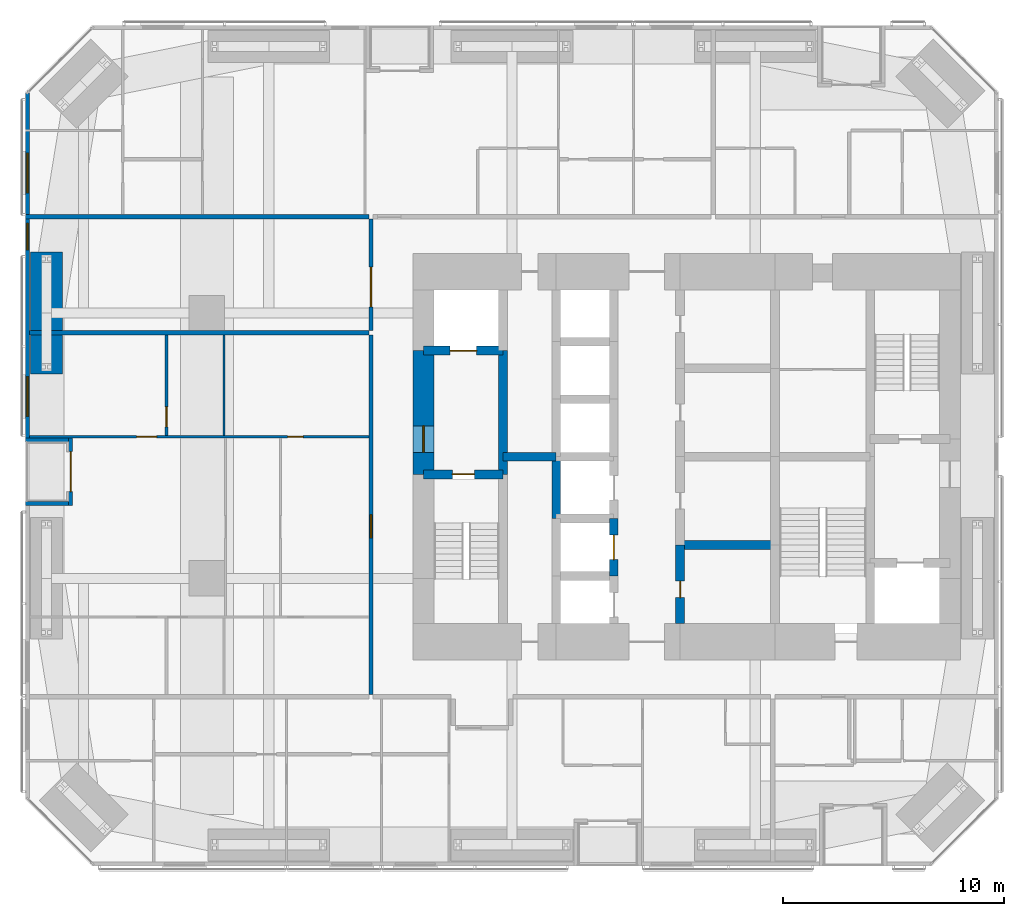
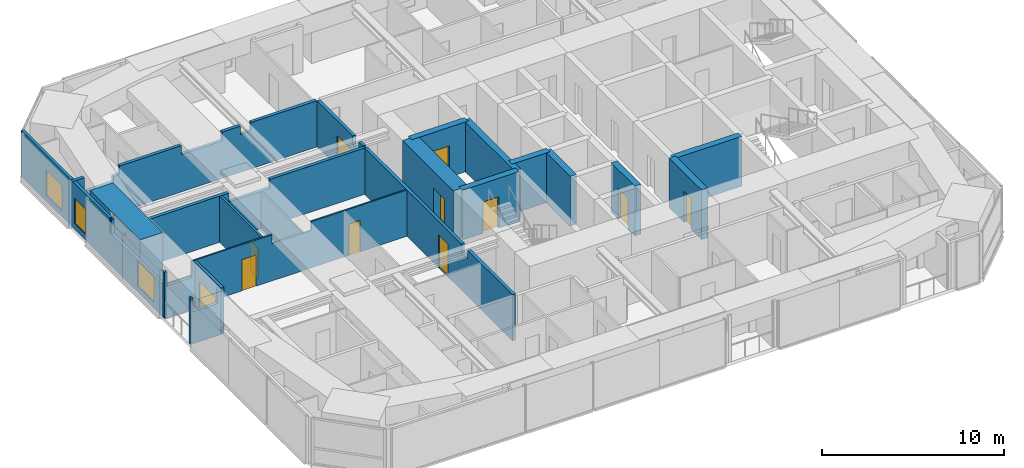
# One storey, part 19 of 24: 21 walls, 11 doors, 3 windows, 14 openings.
"""IFC4 building model written with IfcOpenShell, lengths in metres."""

from ifc_helpers import new_model, si_unit, direction, frame, frame_2d, origin, place, context, subcontext, project, spatial, polyline, rectangle, outline, extrude, material, layer, layer_set, constituent, constituent_set, type_object, element, fill, save


model = new_model("IFC4")

# Units and contexts
model_context = context("Model", 3, precision=1e-05, world=origin(), true_north=direction((0.0, 1.0)))
body_context = subcontext(model_context, "Body", "Model", "MODEL_VIEW")
ifc_project = project(units=[si_unit("LENGTHUNIT", "METRE"), si_unit("AREAUNIT", "SQUARE_METRE"), si_unit("VOLUMEUNIT", "CUBIC_METRE"), si_unit("PLANEANGLEUNIT", "RADIAN"), si_unit("MASSUNIT", "GRAM", prefix="KILO")], contexts=[model_context])

# Site, building, storey
site_placement = place(None, origin())
site = spatial("IfcSite", under=ifc_project, at=site_placement, CompositionType="ELEMENT")
building_placement = place(site_placement, origin())
building = spatial("IfcBuilding", under=site, at=building_placement, Name="Jalousie Tower", CompositionType="ELEMENT")
storey_placement = place(building_placement, frame((0.0, 0.0, 54.5)))
storey = spatial("IfcBuildingStorey", under=building, at=storey_placement, Name="L14", CompositionType="ELEMENT", Elevation=54.5)

# Wall, opening, door
ifc_material_1 = material(Name="Concrete block ASTM C90", Category="concrete")
ifc_constituent_1 = constituent(ifc_material_1, Name="Body")
ifc_material_2 = material(Name="Render")
ifc_constituent_2 = constituent(ifc_material_2, Name="Finish")
ifc_constituent_set_1 = constituent_set(constituents=[ifc_constituent_1, ifc_constituent_2])
wall_type_1 = type_object("IfcWallType", Name="BATHROOM WALL 150", PredefinedType="PLUMBINGWALL", material=ifc_constituent_set_1)
wall_1_placement = place(storey_placement, frame((8.375, 19.449951171875, 0.0), z_axis=(0.0, 0.0, 1.0), x_axis=(0.0, 1.0, 0.0)))
wall_1 = element("IfcWall", 1, at=wall_1_placement, inside=storey, type_object=wall_type_1, Name="Bathroom Wall 150 L14", PredefinedType="PLUMBINGWALL", context=body_context, shape_type="SweptSolid", body=[
    extrude(rectangle(XDim=4.550048828125, YDim=0.14990234375, at=frame_2d((2.27490234375, 0.0))), origin(), (0.0, 0.0, 1.0), 3.110107421875),
])
opening_1_placement = place(wall_1_placement, frame((0.39990234375, 0.0, 0.0)))
opening_1 = element("IfcOpeningElement", 2, at=opening_1_placement, cuts=wall_1, Name="Opening D3", PredefinedType="OPENING", context=body_context, shape_type="SweptSolid", body=[
    extrude(rectangle(XDim=0.89990234375, YDim=2.10009765625, at=frame_2d((0.449951171875, 1.050048828125))), frame((0.0, 0.0849609375, 0.0), z_axis=(0.0, -1.0, 0.0), x_axis=(1.0, 0.0, 0.0)), (0.0, 0.0, 1.0), 0.169921875),
])
ifc_material_3 = material(Name="Timber door", Category="wood")
door_type_1 = type_object("IfcDoorType", Name="BATHROOM DOOR 900", OperationType="SINGLE_SWING_LEFT", PredefinedType="DOOR", material=ifc_material_3)
door_1_placement = place(opening_1_placement, frame((0.89990234375, 0.0, 0.0), z_axis=(0.0, 0.0, 1.0), x_axis=(-1.0, 0.0, 0.0)))
door_1 = element("IfcDoor", 3, at=door_1_placement, inside=storey, type_object=door_type_1, Name="Apartment 1405 bedroom 2 bathroom door", OperationType="SINGLE_SWING_RIGHT", OverallHeight=2.10009765625, OverallWidth=0.89990234375, PredefinedType="DOOR", context=body_context, shape_type="SweptSolid", body=[
    extrude(rectangle(XDim=0.89990234375, YDim=2.10009765625, at=frame_2d((0.449951171875, 1.050048828125))), frame((0.0, 0.02490234375, 0.0), z_axis=(0.0, -1.0, 0.0), x_axis=(1.0, 0.0, 0.0)), (0.0, 0.0, 1.0), 0.050048828125),
])
fill(opening_1, door_1)

# Walls
ifc_material_4 = material(Name="Concrete f'c 120 MPa", Category="concrete")
ifc_layer_1 = layer(ifc_material_4, 0.39990234375)
ifc_layer_set_1 = layer_set([ifc_layer_1], Name="Concrete f'c 120 MPa")
wall_type_2 = type_object("IfcWallType", Name="CORE WALL 400", PredefinedType="SHEAR", material=ifc_layer_set_1)
wall_2_placement = place(storey_placement, frame((23.60009765625, 17.699951171875, 0.0), z_axis=(0.0, 0.0, 1.0), x_axis=(0.0, 1.0, 0.0)))
element("IfcWall", 4, at=wall_2_placement, inside=storey, type_object=wall_type_2, Name="Core wall X23.6B L14", PredefinedType="SHEAR", context=body_context, shape_type="SweptSolid", body=[
    extrude(rectangle(XDim=5.60009765625, YDim=0.39990234375, at=frame_2d((2.800048828125, 0.0))), origin(), (0.0, 0.0, 1.0), 3.35009765625),
])
wall_3_placement = place(storey_placement, frame((26.0, 15.699951171875, 0.0), z_axis=(0.0, 0.0, 1.0), x_axis=(0.0, 1.0, 0.0)))
element("IfcWall", 5, at=wall_3_placement, inside=storey, type_object=wall_type_2, Name="Core wall X26C L14", PredefinedType="SHEAR", context=body_context, shape_type="SweptSolid", body=[
    extrude(rectangle(XDim=2.800048828125, YDim=0.39990234375, at=frame_2d((1.39990234375, 0.0))), origin(), (0.0, 0.0, 1.0), 3.35009765625),
])

# Wall, opening, door
wall_4_placement = place(storey_placement, frame((28.60009765625, 13.10009765625, 0.0), z_axis=(0.0, 0.0, 1.0), x_axis=(0.0, 1.0, 0.0)))
wall_4 = element("IfcWall", 6, at=wall_4_placement, inside=storey, type_object=wall_type_2, Name="Core wall X28.6B L14", PredefinedType="SHEAR", context=body_context, shape_type="SweptSolid", body=[
    extrude(rectangle(XDim=2.599853515625, YDim=0.39990234375, at=frame_2d((1.2998046875, 0.0))), origin(), (0.0, 0.0, 1.0), 3.35009765625),
])
opening_2_placement = place(wall_4_placement, frame((0.75, 0.0, 0.0)))
opening_2 = element("IfcOpeningElement", 7, at=opening_2_placement, cuts=wall_4, Name="Opening LD1", PredefinedType="OPENING", context=body_context, shape_type="SweptSolid", body=[
    extrude(rectangle(XDim=1.10009765625, YDim=2.10009765625, at=frame_2d((0.550048828125, 1.050048828125))), frame((0.0, 0.2099609375, 0.0), z_axis=(0.0, -1.0, 0.0), x_axis=(1.0, 0.0, 0.0)), (0.0, 0.0, 1.0), 0.419921875),
])
ifc_material_5 = material(Name="Steel lift landing door", Category="steel")
door_type_2 = type_object("IfcDoorType", Name="LIFT LANDING DOOR 1100", OperationType="SLIDING_TO_LEFT", PredefinedType="DOOR", material=ifc_material_5)
door_2_placement = place(opening_2_placement, origin())
door_2 = element("IfcDoor", 8, at=door_2_placement, inside=storey, type_object=door_type_2, Name="Lift P2 landing door", OperationType="SLIDING_TO_LEFT", OverallHeight=2.10009765625, OverallWidth=1.10009765625, PredefinedType="DOOR", context=body_context, shape_type="SweptSolid", body=[
    extrude(rectangle(XDim=1.10009765625, YDim=2.10009765625, at=frame_2d((0.550048828125, 1.050048828125))), frame((0.0, 0.02490234375, 0.0), z_axis=(0.0, -1.0, 0.0), x_axis=(1.0, 0.0, 0.0)), (0.0, 0.0, 1.0), 0.050048828125),
])
fill(opening_2, door_2)

wall_5_placement = place(storey_placement, frame((31.60009765625, 10.949951171875, 0.0), z_axis=(0.0, 0.0, 1.0), x_axis=(0.0, 1.0, 0.0)))
wall_5 = element("IfcWall", 9, at=wall_5_placement, inside=storey, type_object=wall_type_2, Name="Core wall X31.6A L14", PredefinedType="SHEAR", context=body_context, shape_type="SweptSolid", body=[
    extrude(rectangle(XDim=3.550048828125, YDim=0.39990234375, at=frame_2d((1.77490234375, 0.0))), origin(), (0.0, 0.0, 1.0), 3.35009765625),
])
opening_3_placement = place(wall_5_placement, frame((1.175048828125, 0.0, 0.0)))
opening_3 = element("IfcOpeningElement", 10, at=opening_3_placement, cuts=wall_5, Name="Opening D16", PredefinedType="OPENING", context=body_context, shape_type="SweptSolid", body=[
    extrude(rectangle(XDim=0.75, YDim=2.10009765625, at=frame_2d((0.375, 1.050048828125))), frame((0.0, 0.2099609375, 0.0), z_axis=(0.0, -1.0, 0.0), x_axis=(1.0, 0.0, 0.0)), (0.0, 0.0, 1.0), 0.419921875),
])
ifc_material_6 = material(Name="Steel fire door", Category="steel")
door_type_3 = type_object("IfcDoorType", Name="RISER DOOR 750", OperationType="SINGLE_SWING_LEFT", PredefinedType="DOOR", material=ifc_material_6)
door_3_placement = place(opening_3_placement, frame((0.75, 0.0, 0.0), z_axis=(0.0, 0.0, 1.0), x_axis=(-1.0, 0.0, 0.0)))
door_3 = element("IfcDoor", 11, at=door_3_placement, inside=storey, type_object=door_type_3, Name="Refuse Room door", OperationType="SINGLE_SWING_RIGHT", OverallHeight=2.10009765625, OverallWidth=0.75, PredefinedType="DOOR", context=body_context, shape_type="SweptSolid", body=[
    extrude(rectangle(XDim=0.75, YDim=2.10009765625, at=frame_2d((0.375, 1.050048828125))), frame((0.0, 0.02490234375, 0.0), z_axis=(0.0, -1.0, 0.0), x_axis=(1.0, 0.0, 0.0)), (0.0, 0.0, 1.0), 0.050048828125),
])
fill(opening_3, door_3)

wall_6_placement = place(storey_placement, frame((20.0, 17.699951171875, 0.0), z_axis=(0.0, 0.0, 1.0), x_axis=(1.0, 0.0, 0.0)))
wall_6 = element("IfcWall", 12, at=wall_6_placement, inside=storey, type_object=wall_type_2, Name="Core wall Y20-17.7 L14", PredefinedType="SHEAR", context=body_context, shape_type="SweptSolid", body=[
    extrude(rectangle(XDim=3.60009765625, YDim=0.39990234375, at=frame_2d((1.800048828125, 0.0))), origin(), (0.0, 0.0, 1.0), 3.35009765625),
])
opening_4_placement = place(wall_6_placement, frame((1.300048828125, 0.0, 0.0)))
opening_4 = element("IfcOpeningElement", 13, at=opening_4_placement, cuts=wall_6, Name="Opening D10", PredefinedType="OPENING", context=body_context, shape_type="SweptSolid", body=[
    extrude(rectangle(XDim=1.0, YDim=2.10009765625, at=frame_2d((0.5, 1.050048828125))), frame((0.0, 0.2099609375, 0.0), z_axis=(0.0, -1.0, 0.0), x_axis=(1.0, 0.0, 0.0)), (0.0, 0.0, 1.0), 0.419921875),
])
ifc_material_7 = material(Name="Steel fire door", Category="steel")
door_type_4 = type_object("IfcDoorType", Name="STAIR DOOR 1000", OperationType="SINGLE_SWING_LEFT", PredefinedType="DOOR", material=ifc_material_7)
door_4_placement = place(opening_4_placement, frame((1.0, 0.0, 0.0), z_axis=(0.0, 0.0, 1.0), x_axis=(-1.0, 0.0, 0.0)))
door_4 = element("IfcDoor", 14, at=door_4_placement, inside=storey, type_object=door_type_4, Name="Exit stair A door", OperationType="SINGLE_SWING_RIGHT", OverallHeight=2.10009765625, OverallWidth=1.0, PredefinedType="DOOR", context=body_context, shape_type="SweptSolid", body=[
    extrude(rectangle(XDim=1.0, YDim=2.10009765625, at=frame_2d((0.5, 1.050048828125))), frame((0.0, 0.02490234375, 0.0), z_axis=(0.0, -1.0, 0.0), x_axis=(1.0, 0.0, 0.0)), (0.0, 0.0, 1.0), 0.050048828125),
])
fill(opening_4, door_4)

wall_7_placement = place(storey_placement, frame((20.0, 23.300048828125, 0.0), z_axis=(0.0, 0.0, 1.0), x_axis=(1.0, 0.0, 0.0)))
wall_7 = element("IfcWall", 15, at=wall_7_placement, inside=storey, type_object=wall_type_2, Name="Core wall Y20-23.3 L14", PredefinedType="SHEAR", context=body_context, shape_type="SweptSolid", body=[
    extrude(rectangle(XDim=3.60009765625, YDim=0.39990234375, at=frame_2d((1.800048828125, 0.0))), origin(), (0.0, 0.0, 1.0), 3.35009765625),
])
opening_5_placement = place(wall_7_placement, frame((1.199951171875, 0.0, 0.0)))
opening_5 = element("IfcOpeningElement", 16, at=opening_5_placement, cuts=wall_7, Name="Opening LD2", PredefinedType="OPENING", context=body_context, shape_type="SweptSolid", body=[
    extrude(rectangle(XDim=1.199951171875, YDim=2.10009765625, at=frame_2d((0.60009765625, 1.050048828125))), frame((0.0, 0.2099609375, 0.0), z_axis=(0.0, -1.0, 0.0), x_axis=(1.0, 0.0, 0.0)), (0.0, 0.0, 1.0), 0.419921875),
])
ifc_material_8 = material(Name="Steel lift landing door", Category="steel")
door_type_5 = type_object("IfcDoorType", Name="LIFT LANDING DOOR 1200", OperationType="SLIDING_TO_LEFT", PredefinedType="DOOR", material=ifc_material_8)
door_5_placement = place(opening_5_placement, origin())
door_5 = element("IfcDoor", 17, at=door_5_placement, inside=storey, type_object=door_type_5, Name="Lift F1 landing door", OperationType="SLIDING_TO_LEFT", OverallHeight=2.10009765625, OverallWidth=1.199951171875, PredefinedType="DOOR", context=body_context, shape_type="SweptSolid", body=[
    extrude(rectangle(XDim=1.199951171875, YDim=2.10009765625, at=frame_2d((0.60009765625, 1.050048828125))), frame((0.0, 0.02490234375, 0.0), z_axis=(0.0, -1.0, 0.0), x_axis=(1.0, 0.0, 0.0)), (0.0, 0.0, 1.0), 0.050048828125),
])
fill(opening_5, door_5)

# Walls
wall_8_placement = place(storey_placement, frame((23.60009765625, 18.5, 0.0), z_axis=(0.0, 0.0, 1.0), x_axis=(1.0, 0.0, 0.0)))
element("IfcWall", 18, at=wall_8_placement, inside=storey, type_object=wall_type_2, Name="Core wall Y23.6-18.5 L14", PredefinedType="SHEAR", context=body_context, shape_type="SweptSolid", body=[
    extrude(rectangle(XDim=2.39990234375, YDim=0.39990234375, at=frame_2d((1.199951171875, 0.0))), origin(), (0.0, 0.0, 1.0), 3.35009765625),
])
wall_9_placement = place(storey_placement, frame((31.60009765625, 14.5, 0.0), z_axis=(0.0, 0.0, 1.0), x_axis=(1.0, 0.0, 0.0)))
element("IfcWall", 19, at=wall_9_placement, inside=storey, type_object=wall_type_2, Name="Core wall Y31.6-14.5 L14", PredefinedType="SHEAR", context=body_context, shape_type="SweptSolid", body=[
    extrude(rectangle(XDim=4.2998046875, YDim=0.39990234375, at=frame_2d((2.14990234375, 0.0))), origin(), (0.0, 0.0, 1.0), 3.35009765625),
])

# Wall, opening, door
ifc_material_9 = material(Name="Concrete f'c 120 MPa", Category="concrete")
ifc_layer_2 = layer(ifc_material_9, 0.949951171875)
ifc_layer_set_2 = layer_set([ifc_layer_2], Name="Concrete f'c 120 MPa")
wall_type_3 = type_object("IfcWallType", Name="CORE WALL 950", PredefinedType="SHEAR", material=ifc_layer_set_2)
wall_10_placement = place(storey_placement, frame((20.0, 23.300048828125, 0.0), z_axis=(0.0, 0.0, 1.0), x_axis=(0.0, -1.0, 0.0)))
wall_10 = element("IfcWall", 20, at=wall_10_placement, inside=storey, type_object=wall_type_3, Name="Core wall WB L14", PredefinedType="SHEAR", context=body_context, shape_type="SweptSolid", body=[
    extrude(rectangle(XDim=5.60009765625, YDim=0.949951171875, at=frame_2d((2.800048828125, 0.0))), origin(), (0.0, 0.0, 1.0), 3.35009765625),
])
opening_6_placement = place(wall_10_placement, frame((3.39990234375, 0.0, 0.0)))
opening_6 = element("IfcOpeningElement", 21, at=opening_6_placement, cuts=wall_10, Name="Opening D11", PredefinedType="OPENING", context=body_context, shape_type="SweptSolid", body=[
    extrude(rectangle(XDim=1.199951171875, YDim=2.199951171875, at=frame_2d((0.60009765625, 1.10009765625))), frame((0.0, 0.48486328125, 0.0), z_axis=(0.0, -1.0, 0.0), x_axis=(1.0, 0.0, 0.0)), (0.0, 0.0, 1.0), 0.969970703125),
])
ifc_material_10 = material(Name="Steel fire door", Category="steel")
door_type_6 = type_object("IfcDoorType", Name="FIRE DOOR 1200", OperationType="SINGLE_SWING_LEFT", PredefinedType="DOOR", material=ifc_material_10)
door_6_placement = place(opening_6_placement, origin())
door_6 = element("IfcDoor", 22, at=door_6_placement, inside=storey, type_object=door_type_6, Name="Fire-fighting lobby A door", OperationType="SINGLE_SWING_RIGHT", OverallHeight=2.199951171875, OverallWidth=1.199951171875, PredefinedType="DOOR", context=body_context, shape_type="SweptSolid", body=[
    extrude(rectangle(XDim=1.199951171875, YDim=2.199951171875, at=frame_2d((0.60009765625, 1.10009765625))), frame((0.0, 0.02490234375, 0.0), z_axis=(0.0, -1.0, 0.0), x_axis=(1.0, 0.0, 0.0)), (0.0, 0.0, 1.0), 0.050048828125),
])
fill(opening_6, door_6)

ifc_material_11 = material(Name="Concrete block ASTM C90", Category="concrete")
ifc_constituent_3 = constituent(ifc_material_11, Name="Body")
ifc_material_12 = material(Name="Render")
ifc_constituent_4 = constituent(ifc_material_12, Name="Finish")
ifc_constituent_set_2 = constituent_set(constituents=[ifc_constituent_3, ifc_constituent_4])
wall_type_4 = type_object("IfcWallType", Name="CORRIDOR WALL 200", PredefinedType="PARTITIONING", material=ifc_constituent_set_2)
wall_11_placement = place(storey_placement, frame((17.625, 7.75, 0.0), z_axis=(0.0, 0.0, 1.0), x_axis=(0.0, 1.0, 0.0)))
wall_11 = element("IfcWall", 23, at=wall_11_placement, inside=storey, type_object=wall_type_4, Name="Corridor Wall 200 L14", PredefinedType="PARTITIONING", context=body_context, shape_type="SweptSolid", body=[
    extrude(outline(polyline([(0.0, 0.0), (16.25, 0.0), (16.25, 3.110107421875), (5.58740234375, 3.110107421875), (5.58740234375, 2.541015625), (4.91259765625, 2.541015625), (4.91259765625, 3.110107421875), (0.0, 3.110107421875), (0.0, 0.0)])), frame((0.0, 0.10009765625, 0.0), z_axis=(0.0, -1.0, 0.0), x_axis=(1.0, 0.0, 0.0)), (0.0, 0.0, 1.0), 0.199951171875),
])
opening_7_placement = place(wall_11_placement, frame((7.074951171875, 0.0, 0.0)))
opening_7 = element("IfcOpeningElement", 24, at=opening_7_placement, cuts=wall_11, Name="Opening D1", PredefinedType="OPENING", context=body_context, shape_type="SweptSolid", body=[
    extrude(rectangle(XDim=1.050048828125, YDim=2.199951171875, at=frame_2d((0.52490234375, 1.10009765625))), frame((0.0, 0.10986328125, 0.0), z_axis=(0.0, -1.0, 0.0), x_axis=(1.0, 0.0, 0.0)), (0.0, 0.0, 1.0), 0.219970703125),
])
ifc_material_13 = material(Name="Timber fire door", Category="wood")
door_type_7 = type_object("IfcDoorType", Name="APARTMENT ENTRANCE DOOR 1050", OperationType="SINGLE_SWING_LEFT", PredefinedType="DOOR", material=ifc_material_13)
door_7_placement = place(opening_7_placement, origin())
door_7 = element("IfcDoor", 25, at=door_7_placement, inside=storey, type_object=door_type_7, Name="Apartment 1405 entrance", OperationType="SINGLE_SWING_LEFT", OverallHeight=2.199951171875, OverallWidth=1.050048828125, PredefinedType="DOOR", context=body_context, shape_type="SweptSolid", body=[
    extrude(rectangle(XDim=1.050048828125, YDim=2.199951171875, at=frame_2d((0.52490234375, 1.10009765625))), frame((0.0, 0.02490234375, 0.0), z_axis=(0.0, -1.0, 0.0), x_axis=(1.0, 0.0, 0.0)), (0.0, 0.0, 1.0), 0.050048828125),
])
fill(opening_7, door_7)

wall_12_placement = place(storey_placement, frame((17.625, 24.199951171875, 0.0), z_axis=(0.0, 0.0, 1.0), x_axis=(0.0, 1.0, 0.0)))
wall_12 = element("IfcWall", 26, at=wall_12_placement, inside=storey, type_object=wall_type_4, Name="Corridor Wall 200 L14", PredefinedType="PARTITIONING", context=body_context, shape_type="SweptSolid", body=[
    extrude(outline(polyline([(0.0, 0.0), (5.050048828125, 0.0), (5.050048828125, 3.110107421875), (1.13720703125, 3.110107421875), (1.13720703125, 2.541015625), (0.462646484375, 2.541015625), (0.462646484375, 3.110107421875), (0.0, 3.110107421875), (0.0, 0.0)])), frame((0.0, 0.10009765625, 0.0), z_axis=(0.0, -1.0, 0.0), x_axis=(1.0, 0.0, 0.0)), (0.0, 0.0, 1.0), 0.199951171875),
])
opening_8_placement = place(wall_12_placement, frame((1.074951171875, 0.0, 0.0)))
opening_8 = element("IfcOpeningElement", 27, at=opening_8_placement, cuts=wall_12, Name="Opening D22", PredefinedType="OPENING", context=body_context, shape_type="SweptSolid", body=[
    extrude(rectangle(XDim=1.800048828125, YDim=2.10009765625, at=frame_2d((0.89990234375, 1.050048828125))), frame((0.0, 0.10986328125, 0.0), z_axis=(0.0, -1.0, 0.0), x_axis=(1.0, 0.0, 0.0)), (0.0, 0.0, 1.0), 0.219970703125),
])
ifc_material_14 = material(Name="Timber fire door", Category="wood")
door_type_8 = type_object("IfcDoorType", Name="CORRIDOR DOUBLE DOOR 1800", OperationType="DOUBLE_DOOR_SINGLE_SWING", PredefinedType="DOOR", material=ifc_material_14)
door_8_placement = place(opening_8_placement, origin())
door_8 = element("IfcDoor", 28, at=door_8_placement, inside=storey, type_object=door_type_8, Name="Residents' co-working room door", OperationType="DOUBLE_DOOR_SINGLE_SWING", OverallHeight=2.10009765625, OverallWidth=1.800048828125, PredefinedType="DOOR", context=body_context, shape_type="SweptSolid", body=[
    extrude(rectangle(XDim=1.800048828125, YDim=2.10009765625, at=frame_2d((0.89990234375, 1.050048828125))), frame((0.0, 0.02490234375, 0.0), z_axis=(0.0, -1.0, 0.0), x_axis=(1.0, 0.0, 0.0)), (0.0, 0.0, 1.0), 0.050048828125),
])
fill(opening_8, door_8)

# Wall, openings, windows
ifc_material_15 = material(Name="Concrete f'c 40 MPa", Category="concrete")
ifc_constituent_5 = constituent(ifc_material_15, Name="Body")
ifc_material_16 = material(Name="Render, pastel coral")
ifc_constituent_6 = constituent(ifc_material_16, Name="Finish")
ifc_constituent_set_3 = constituent_set(constituents=[ifc_constituent_5, ifc_constituent_6])
wall_type_5 = type_object("IfcWallType", Name="EXTERNAL WALL 175 CORAL RENDER", PredefinedType="SOLIDWALL", material=ifc_constituent_set_3)
wall_13_placement = place(storey_placement, frame((2.08740234375, 34.94873046875, 0.0), z_axis=(0.0, 0.0, 1.0), x_axis=(0.0, -1.0, 0.0)))
wall_13 = element("IfcWall", 29, at=wall_13_placement, inside=storey, type_object=wall_type_5, Name="External Wall 175 Coral Render L14", PredefinedType="SOLIDWALL", context=body_context, shape_type="SweptSolid", body=[
    extrude(outline(polyline([(0.0, 0.0), (15.5986328125, 0.0), (15.5986328125, 2.14990234375), (9.94873046875, 2.14990234375), (9.94873046875, 3.110107421875), (9.822998046875, 3.110107421875), (9.822998046875, 2.14990234375), (9.72998046875, 2.14990234375), (9.72998046875, 3.110107421875), (0.0, 3.110107421875), (0.0, 0.0)])), frame((0.0, 0.08740234375, 0.0), z_axis=(0.0, -1.0, 0.0), x_axis=(1.0, 0.0, 0.0)), (0.0, 0.0, 1.0), 0.175048828125),
])
opening_9_placement = place(wall_13_placement, frame((2.72216796875, 0.0, 0.39990234375)))
opening_9 = element("IfcOpeningElement", 30, at=opening_9_placement, cuts=wall_13, Name="Opening W-BED170", PredefinedType="OPENING", context=body_context, shape_type="SweptSolid", body=[
    extrude(rectangle(XDim=1.800048828125, YDim=1.699951171875, at=frame_2d((0.89990234375, 0.85009765625))), frame((0.0, 0.097412109375, 0.0), z_axis=(0.0, -1.0, 0.0), x_axis=(1.0, 0.0, 0.0)), (0.0, 0.0, 1.0), 0.195068359375),
])
opening_10_placement = place(wall_13_placement, frame((5.898681640625, 0.0, 0.39990234375)))
opening_10 = element("IfcOpeningElement", 31, at=opening_10_placement, cuts=wall_13, Name="Opening W-COR170", PredefinedType="OPENING", context=body_context, shape_type="SweptSolid", body=[
    extrude(rectangle(XDim=1.199951171875, YDim=1.699951171875, at=frame_2d((0.60009765625, 0.85009765625))), frame((0.0, 0.097412109375, 0.0), z_axis=(0.0, -1.0, 0.0), x_axis=(1.0, 0.0, 0.0)), (0.0, 0.0, 1.0), 0.195068359375),
])
opening_11_placement = place(wall_13_placement, frame((12.82373046875, 0.0, 0.39990234375)))
opening_11 = element("IfcOpeningElement", 32, at=opening_11_placement, cuts=wall_13, Name="Opening W-BED170", PredefinedType="OPENING", context=body_context, shape_type="SweptSolid", body=[
    extrude(rectangle(XDim=1.800048828125, YDim=1.699951171875, at=frame_2d((0.89990234375, 0.85009765625))), frame((0.0, 0.097412109375, 0.0), z_axis=(0.0, -1.0, 0.0), x_axis=(1.0, 0.0, 0.0)), (0.0, 0.0, 1.0), 0.195068359375),
])
ifc_material_17 = material(Name="Aluminium frame, impact-rated glazing", Category="aluminium")
window_type_1 = type_object("IfcWindowType", Name="WINDOW BED 1800x1700", PartitioningType="SINGLE_PANEL", PredefinedType="WINDOW", material=ifc_material_17)
window_1_placement = place(opening_9_placement, origin())
window_1 = element("IfcWindow", 33, at=window_1_placement, inside=storey, type_object=window_type_1, Name="Apartment 1403 bedroom 1 window", OverallHeight=1.699951171875, OverallWidth=1.800048828125, PartitioningType="SINGLE_PANEL", PredefinedType="WINDOW", context=body_context, shape_type="SweptSolid", body=[
    extrude(rectangle(XDim=1.800048828125, YDim=1.699951171875, at=frame_2d((0.89990234375, 0.85009765625))), frame((0.0, 0.030029296875, 0.0), z_axis=(0.0, -1.0, 0.0), x_axis=(1.0, 0.0, 0.0)), (0.0, 0.0, 1.0), 0.06005859375),
])
fill(opening_9, window_1)
window_2_placement = place(opening_11_placement, origin())
window_2 = element("IfcWindow", 34, at=window_2_placement, inside=storey, type_object=window_type_1, Name="Apartment 1405 bedroom 2 window", OverallHeight=1.699951171875, OverallWidth=1.800048828125, PartitioningType="SINGLE_PANEL", PredefinedType="WINDOW", context=body_context, shape_type="SweptSolid", body=[
    extrude(rectangle(XDim=1.800048828125, YDim=1.699951171875, at=frame_2d((0.89990234375, 0.85009765625))), frame((0.0, 0.030029296875, 0.0), z_axis=(0.0, -1.0, 0.0), x_axis=(1.0, 0.0, 0.0)), (0.0, 0.0, 1.0), 0.06005859375),
])
fill(opening_11, window_2)
ifc_material_18 = material(Name="Aluminium frame, impact-rated glazing", Category="aluminium")
window_type_2 = type_object("IfcWindowType", Name="WINDOW COR 1200x1700", PartitioningType="SINGLE_PANEL", PredefinedType="WINDOW", material=ifc_material_18)
window_3_placement = place(opening_10_placement, origin())
window_3 = element("IfcWindow", 35, at=window_3_placement, inside=storey, type_object=window_type_2, Name="Residents' co-working room window", OverallHeight=1.699951171875, OverallWidth=1.199951171875, PartitioningType="SINGLE_PANEL", PredefinedType="WINDOW", context=body_context, shape_type="SweptSolid", body=[
    extrude(rectangle(XDim=1.199951171875, YDim=1.699951171875, at=frame_2d((0.60009765625, 0.85009765625))), frame((0.0, 0.030029296875, 0.0), z_axis=(0.0, -1.0, 0.0), x_axis=(1.0, 0.0, 0.0)), (0.0, 0.0, 1.0), 0.06005859375),
])
fill(opening_10, window_3)

# Wall, opening, door
wall_14_placement = place(storey_placement, frame((4.03759765625, 19.35009765625, 0.0), z_axis=(0.0, 0.0, 1.0), x_axis=(0.0, -1.0, 0.0)))
wall_14 = element("IfcWall", 36, at=wall_14_placement, inside=storey, type_object=wall_type_5, Name="External Wall 175 Coral Render L14", PredefinedType="SOLIDWALL", context=body_context, shape_type="SweptSolid", body=[
    extrude(rectangle(XDim=3.050048828125, YDim=0.175048828125, at=frame_2d((1.52490234375, 0.0))), origin(), (0.0, 0.0, 1.0), 3.110107421875),
])
opening_12_placement = place(wall_14_placement, frame((0.625, 0.0, 0.0)))
opening_12 = element("IfcOpeningElement", 37, at=opening_12_placement, cuts=wall_14, Name="Opening D-BAL21", PredefinedType="OPENING", context=body_context, shape_type="SweptSolid", body=[
    extrude(rectangle(XDim=1.800048828125, YDim=2.10009765625, at=frame_2d((0.89990234375, 1.050048828125))), frame((0.0, 0.097412109375, 0.0), z_axis=(0.0, -1.0, 0.0), x_axis=(1.0, 0.0, 0.0)), (0.0, 0.0, 1.0), 0.195068359375),
])
ifc_material_19 = material(Name="Aluminium frame, impact-rated glazing", Category="aluminium")
door_type_9 = type_object("IfcDoorType", Name="BALCONY DOOR 1800x2100", OperationType="SLIDING_TO_LEFT", PredefinedType="DOOR", material=ifc_material_19)
door_9_placement = place(opening_12_placement, origin())
door_9 = element("IfcDoor", 38, at=door_9_placement, inside=storey, type_object=door_type_9, Name="Apartment 1405 living room loggia door", OperationType="SLIDING_TO_LEFT", OverallHeight=2.10009765625, OverallWidth=1.800048828125, PredefinedType="DOOR", context=body_context, shape_type="SweptSolid", body=[
    extrude(rectangle(XDim=1.800048828125, YDim=2.10009765625, at=frame_2d((0.89990234375, 1.050048828125))), frame((0.0, 0.02490234375, 0.0), z_axis=(0.0, -1.0, 0.0), x_axis=(1.0, 0.0, 0.0)), (0.0, 0.0, 1.0), 0.050048828125),
])
fill(opening_12, door_9)

# Walls
for number, where, z_axis, x_axis, name in (
    (39, (2.0, 19.262451171875, 0.0), (0.0, 0.0, 1.0), (1.0, 0.0, 0.0), "External Wall 175 Coral Render L14"),
    (40, (2.0, 16.387451171875, 0.0), (0.0, 0.0, 1.0), (1.0, 0.0, 0.0), "External Wall 175 Coral Render L14"),
):
    element("IfcWall", number, at=place(storey_placement, frame(where, z_axis=z_axis, x_axis=x_axis)), inside=storey, type_object=wall_type_5, Name=name, PredefinedType="SOLIDWALL", context=body_context, shape_type="SweptSolid", body=[
        extrude(outline(polyline([(0.0, 0.0), (1.949951171875, 0.0), (1.949951171875, 3.110107421875), (1.75, 3.110107421875), (1.75, 2.14990234375), (0.14990234375, 2.14990234375), (0.14990234375, 3.110107421875), (0.0, 3.110107421875), (0.0, 0.0)])), frame((0.0, 0.08740234375, 0.0), z_axis=(0.0, -1.0, 0.0), x_axis=(1.0, 0.0, 0.0)), (0.0, 0.0, 1.0), 0.175048828125),
    ])

# Wall, openings, doors
ifc_material_20 = material(Name="Gypsum board", Category="gypsum")
ifc_constituent_7 = constituent(ifc_material_20, Name="Body")
ifc_material_21 = material(Name="Light-gauge steel studs ASTM A653 SS Grade 33", Category="steel")
ifc_constituent_8 = constituent(ifc_material_21, Name="Framing")
ifc_constituent_set_4 = constituent_set(constituents=[ifc_constituent_7, ifc_constituent_8])
wall_type_6 = type_object("IfcWallType", Name="PARTITION 100", PredefinedType="PARTITIONING", material=ifc_constituent_set_4)
wall_15_placement = place(storey_placement, frame((2.175048828125, 19.39990234375, 0.0), z_axis=(0.0, 0.0, 1.0), x_axis=(1.0, 0.0, 0.0)))
wall_15 = element("IfcWall", 41, at=wall_15_placement, inside=storey, type_object=wall_type_6, Name="Partition 100 L14", PredefinedType="PARTITIONING", context=body_context, shape_type="SweptSolid", body=[
    extrude(outline(polyline([(0.0, 0.0), (15.349853515625, 0.0), (15.35009765625, 3.110107421875), (9.284912109375, 3.110107421875), (9.284912109375, 2.510009765625), (6.764892578125, 2.510009765625), (6.764892578125, 3.110107421875), (1.635009765625, 3.110107421875), (1.635009765625, 2.14990234375), (0.0, 2.14990234375), (0.0, 3.110107421875), (0.0, 0.0)])), frame((0.0, 0.050048828125, 0.0), z_axis=(0.0, -1.0, 0.0), x_axis=(1.0, 0.0, 0.0)), (0.0, 0.0, 1.0), 0.10009765625),
])
opening_13_placement = place(wall_15_placement, frame((4.85009765625, 0.0, 0.0)))
opening_13 = element("IfcOpeningElement", 42, at=opening_13_placement, cuts=wall_15, Name="Opening D2", PredefinedType="OPENING", context=body_context, shape_type="SweptSolid", body=[
    extrude(rectangle(XDim=0.89990234375, YDim=2.10009765625, at=frame_2d((0.449951171875, 1.050048828125))), frame((0.0, 0.06005859375, 0.0), z_axis=(0.0, -1.0, 0.0), x_axis=(1.0, 0.0, 0.0)), (0.0, 0.0, 1.0), 0.1201171875),
])
opening_14_placement = place(wall_15_placement, frame((11.675048828125, 0.0, 0.0)))
opening_14 = element("IfcOpeningElement", 43, at=opening_14_placement, cuts=wall_15, Name="Opening D4", PredefinedType="OPENING", context=body_context, shape_type="SweptSolid", body=[
    extrude(rectangle(XDim=0.699951171875, YDim=2.10009765625, at=frame_2d((0.35009765625, 1.050048828125))), frame((0.0, 0.06005859375, 0.0), z_axis=(0.0, -1.0, 0.0), x_axis=(1.0, 0.0, 0.0)), (0.0, 0.0, 1.0), 0.1201171875),
])
ifc_material_22 = material(Name="Timber door", Category="wood")
door_type_10 = type_object("IfcDoorType", Name="BEDROOM DOOR 900", OperationType="SINGLE_SWING_LEFT", PredefinedType="DOOR", material=ifc_material_22)
door_10_placement = place(opening_13_placement, origin())
door_10 = element("IfcDoor", 44, at=door_10_placement, inside=storey, type_object=door_type_10, Name="Apartment 1405 bedroom 2 door", OperationType="SINGLE_SWING_RIGHT", OverallHeight=2.10009765625, OverallWidth=0.89990234375, PredefinedType="DOOR", context=body_context, shape_type="SweptSolid", body=[
    extrude(rectangle(XDim=0.89990234375, YDim=2.10009765625, at=frame_2d((0.449951171875, 1.050048828125))), frame((0.0, 0.02490234375, 0.0), z_axis=(0.0, -1.0, 0.0), x_axis=(1.0, 0.0, 0.0)), (0.0, 0.0, 1.0), 0.050048828125),
])
fill(opening_13, door_10)
ifc_material_23 = material(Name="Timber door", Category="wood")
door_type_11 = type_object("IfcDoorType", Name="STORE DOOR 700", OperationType="SINGLE_SWING_LEFT", PredefinedType="DOOR", material=ifc_material_23)
door_11_placement = place(opening_14_placement, origin())
door_11 = element("IfcDoor", 45, at=door_11_placement, inside=storey, type_object=door_type_11, Name="Apartment 1405 store door", OperationType="SINGLE_SWING_LEFT", OverallHeight=2.10009765625, OverallWidth=0.699951171875, PredefinedType="DOOR", context=body_context, shape_type="SweptSolid", body=[
    extrude(rectangle(XDim=0.699951171875, YDim=2.10009765625, at=frame_2d((0.35009765625, 1.050048828125))), frame((0.0, 0.02490234375, 0.0), z_axis=(0.0, -1.0, 0.0), x_axis=(1.0, 0.0, 0.0)), (0.0, 0.0, 1.0), 0.050048828125),
])
fill(opening_14, door_11)

# Walls
wall_16_placement = place(storey_placement, frame((10.97509765625, 19.449951171875, 0.0), z_axis=(0.0, 0.0, 1.0), x_axis=(0.0, 1.0, 0.0)))
element("IfcWall", 46, at=wall_16_placement, inside=storey, type_object=wall_type_6, Name="Partition 100 L14", PredefinedType="PARTITIONING", context=body_context, shape_type="SweptSolid", body=[
    extrude(outline(polyline([(0.0, 0.0), (4.550048828125, 0.0), (4.550048828125, 3.110107421875), (4.550048828125, 2.510009765625), (0.0, 2.510009765625), (0.0, 3.110107421875), (0.0, 0.0)])), frame((0.0, 0.050048828125, 0.0), z_axis=(0.0, -1.0, 0.0), x_axis=(1.0, 0.0, 0.0)), (0.0, 0.0, 1.0), 0.10009765625),
])
ifc_material_24 = material(Name="Concrete block ASTM C90", Category="concrete")
ifc_constituent_9 = constituent(ifc_material_24, Name="Body")
ifc_material_25 = material(Name="Render")
ifc_constituent_10 = constituent(ifc_material_25, Name="Finish")
ifc_constituent_set_5 = constituent_set(constituents=[ifc_constituent_9, ifc_constituent_10])
wall_type_7 = type_object("IfcWallType", Name="PARTY WALL 200", PredefinedType="PARTITIONING", material=ifc_constituent_set_5)
wall_17_placement = place(storey_placement, frame((2.0, 29.35009765625, 0.0), z_axis=(0.0, 0.0, 1.0), x_axis=(1.0, 0.0, 0.0)))
element("IfcWall", 47, at=wall_17_placement, inside=storey, type_object=wall_type_7, Name="Party Wall 200 L14", PredefinedType="PARTITIONING", context=body_context, shape_type="SweptSolid", body=[
    extrude(outline(polyline([(0.0, 0.0), (15.52490234375, 0.0), (15.52490234375, 3.110107421875), (11.33740234375, 3.110107421875), (11.33740234375, 2.541015625), (10.66259765625, 2.541015625), (10.66259765625, 3.110107421875), (9.510009765625, 3.110107421875), (9.510009765625, 2.510009765625), (6.889892578125, 2.510009765625), (6.889892578125, 3.110107421875), (2.96875, 3.110107421875), (2.96875, 2.541015625), (2.577392578125, 2.541015625), (2.577392578125, 2.14990234375), (0.7333984375, 2.14990234375), (0.7333984375, 3.110107421875), (0.0, 3.110107421875), (0.0, 0.0)])), frame((0.0, 0.10009765625, 0.0), z_axis=(0.0, -1.0, 0.0), x_axis=(1.0, 0.0, 0.0)), (0.0, 0.0, 1.0), 0.199951171875),
])
wall_18_placement = place(storey_placement, frame((2.175048828125, 24.10009765625, 0.0), z_axis=(0.0, 0.0, 1.0), x_axis=(1.0, 0.0, 0.0)))
element("IfcWall", 48, at=wall_18_placement, inside=storey, type_object=wall_type_7, Name="Party Wall 200 L14", PredefinedType="PARTITIONING", context=body_context, shape_type="SweptSolid", body=[
    extrude(outline(polyline([(0.52880859375, 2.14990234375), (0.0, 2.14990234375), (0.0, 0.0), (0.52880859375, 0.0), (0.52880859375, 0.888916015625), (1.021240234375, 0.888916015625), (1.021240234375, 0.0), (15.35009765625, 0.0), (15.35009765625, 3.110107421875), (9.3349609375, 3.110107421875), (9.3349609375, 2.510009765625), (6.715087890625, 2.510009765625), (6.715087890625, 3.110107421875), (1.68505859375, 3.110107421875), (1.68505859375, 2.14990234375), (1.021240234375, 2.14990234375), (1.021240234375, 1.26123046875), (0.52880859375, 1.26123046875), (0.52880859375, 2.14990234375)])), frame((0.0, 0.10009765625, 0.0), z_axis=(0.0, -1.0, 0.0), x_axis=(1.0, 0.0, 0.0)), (0.0, 0.0, 1.0), 0.199951171875),
])
ifc_material_26 = material(Name="Concrete f'c 120 MPa", Category="concrete")
ifc_layer_3 = layer(ifc_material_26, 1.449951171875)
ifc_layer_set_3 = layer_set([ifc_layer_3], Name="Concrete f'c 120 MPa")
wall_type_8 = type_object("IfcWallType", Name="RC WALL PIER 1450", PredefinedType="SHEAR", material=ifc_layer_set_3)
wall_19_placement = place(storey_placement, frame((2.949951171875, 22.25, 0.0), z_axis=(0.0, 0.0, 1.0), x_axis=(0.0, 1.0, 0.0)))
element("IfcWall", 49, at=wall_19_placement, inside=storey, type_object=wall_type_8, Name="Wall pier 13 L14", PredefinedType="SHEAR", context=body_context, shape_type="SweptSolid", body=[
    extrude(rectangle(XDim=5.5, YDim=1.449951171875, at=frame_2d((2.75, 0.0))), origin(), (0.0, 0.0, 1.0), 3.35009765625),
])

save(model, "model.ifc")
